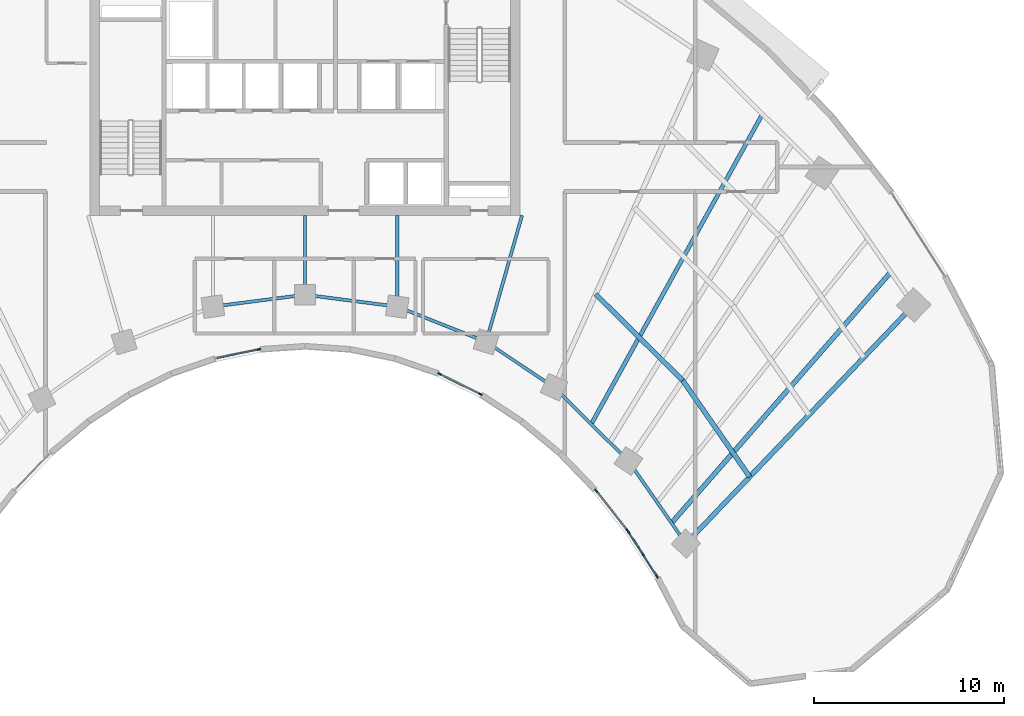
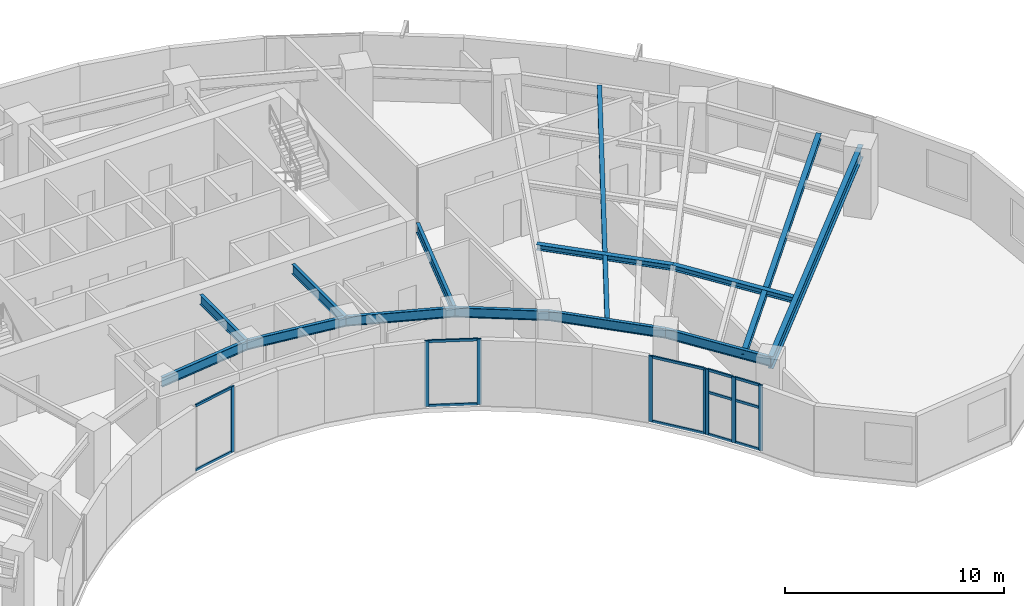
# One storey, part 3 of 13: 20 members, 14 beams, 4 elements without a shape of their own.
"""IFC4 building model written with IfcOpenShell, lengths in metres."""

from ifc_helpers import new_model, si_unit, direction, frame, origin, origin_2d, place, context, subcontext, project, spatial, rectangle, i_section, extrude, source, transform, mapped, material, layer, layer_set, material_profile, profile_set, type_object, type_shapes, element, aggregate, save


model = new_model("IFC4")

# Units and contexts
model_context = context("Model", 3, precision=1e-05, world=origin(), true_north=direction((0.0, 1.0)))
body_context = subcontext(model_context, "Body", "Model", "MODEL_VIEW")
ifc_project = project(units=[si_unit("LENGTHUNIT", "METRE"), si_unit("AREAUNIT", "SQUARE_METRE"), si_unit("VOLUMEUNIT", "CUBIC_METRE"), si_unit("PLANEANGLEUNIT", "RADIAN"), si_unit("MASSUNIT", "GRAM", prefix="KILO")], contexts=[model_context])

# Site, building, storey
site_placement = place(None, origin())
site = spatial("IfcSite", under=ifc_project, at=site_placement, CompositionType="ELEMENT")
building_placement = place(site_placement, origin())
building = spatial("IfcBuilding", under=site, at=building_placement, Name="Breltana Convention Tower", CompositionType="ELEMENT")
storey_placement = place(building_placement, frame((0.0, 0.0, 107.699951171875)))
storey = spatial("IfcBuildingStorey", under=building, at=storey_placement, Name="L25", CompositionType="ELEMENT", Elevation=107.699951171875)

# Beams
ifc_material_1 = material(Name="Steel ASTM A992 Grade 50", Category="steel")
ifc_material_profile_1 = material_profile(ifc_material_1, i_section(OverallWidth=0.25390625, OverallDepth=0.68798828125, WebThickness=0.01318359375, FlangeThickness=0.02099609375, at=origin_2d()), Name="W27X102")
ifc_profile_set_1 = profile_set([ifc_material_profile_1], Name="Steel ASTM A992 Grade 50")
beam_type_1 = type_object("IfcBeamType", Name="BM-RG-W27X102", PredefinedType="USERDEFINED", material=ifc_profile_set_1)
shared_shape_1 = source(origin(), body_context, "Body", "SweptSolid", [
    extrude(i_section(OverallWidth=0.25390625, OverallDepth=0.68798828125, WebThickness=0.01318359375, FlangeThickness=0.02099609375, at=origin_2d()), origin(), (0.0, 0.0, 1.0), 17.341064453125),
])
type_shapes(beam_type_1, [shared_shape_1])
beam_1_placement = place(storey_placement, frame((68.015380859375, 42.95458984375, 3.30615234375), z_axis=(0.690716462293, 0.723125693581, 0.0), x_axis=(-0.723125693581, 0.690716462293, 0.0)))
element("IfcBeam", 1, at=beam_1_placement, inside=storey, type_object=beam_type_1, Name="L25 Radial Floor Girder R11", ObjectType="GIRDER", PredefinedType="USERDEFINED", context=body_context, shape_type="MappedRepresentation", body=[
    mapped(shared_shape_1, transform((0.0, 0.0, 0.0), scale=1.0)),
])
ifc_material_profile_2 = material_profile(ifc_material_1, i_section(OverallWidth=0.166015625, OverallDepth=0.534912109375, WebThickness=0.01025390625, FlangeThickness=0.0166015625, at=origin_2d()), Name="W21X57")
ifc_profile_set_2 = profile_set([ifc_material_profile_2], Name="Steel ASTM A992 Grade 50")
beam_type_2 = type_object("IfcBeamType", Name="BM-BM-W21X57", PredefinedType="BEAM", material=ifc_profile_set_2)
shared_shape_2 = source(origin(), body_context, "Body", "SweptSolid", [
    extrude(i_section(OverallWidth=0.166015625, OverallDepth=0.534912109375, WebThickness=0.01025390625, FlangeThickness=0.0166015625, at=origin_2d()), origin(), (0.0, 0.0, 1.0), 6.904541015625),
])
type_shapes(beam_type_2, [shared_shape_2])
beam_2_placement = place(storey_placement, frame((59.39990234375, 60.199951171875, 3.382568359375), z_axis=(-0.273006781054, -0.962012108811, 0.0), x_axis=(0.962012108811, -0.273006781054, 0.0)))
element("IfcBeam", 2, at=beam_2_placement, inside=storey, type_object=beam_type_2, Name="L25 South Core Tie Girder R08", PredefinedType="BEAM", context=body_context, shape_type="MappedRepresentation", body=[
    mapped(shared_shape_2, transform((0.0, 0.0, 0.0), scale=1.0)),
])
shared_shape_3 = source(origin(), body_context, "Body", "SweptSolid", [
    extrude(i_section(OverallWidth=0.166015625, OverallDepth=0.534912109375, WebThickness=0.01025390625, FlangeThickness=0.0166015625, at=origin_2d()), origin(), (0.0, 0.0, 1.0), 4.789306640625),
])
beam_3_placement = place(storey_placement, frame((52.846435546875, 60.199951171875, 3.382568359375), z_axis=(0.0, -1.0, 0.0), x_axis=(1.0, 0.0, 0.0)))
element("IfcBeam", 3, at=beam_3_placement, inside=storey, type_object=beam_type_2, Name="L25 South Core Tie Girder R07", PredefinedType="BEAM", context=body_context, shape_type="MappedRepresentation", body=[
    mapped(shared_shape_3, transform((0.0, 0.0, 0.0), scale=1.0)),
])
shared_shape_4 = source(origin(), body_context, "Body", "SweptSolid", [
    extrude(i_section(OverallWidth=0.166015625, OverallDepth=0.534912109375, WebThickness=0.01025390625, FlangeThickness=0.0166015625, at=origin_2d()), origin(), (0.0, 0.0, 1.0), 4.1640625),
])
beam_4_placement = place(storey_placement, frame((48.0, 60.199951171875, 3.382568359375), z_axis=(0.0, -1.0, 0.0), x_axis=(1.0, 0.0, 0.0)))
element("IfcBeam", 4, at=beam_4_placement, inside=storey, type_object=beam_type_2, Name="L25 South Core Tie Girder R06", PredefinedType="BEAM", context=body_context, shape_type="MappedRepresentation", body=[
    mapped(shared_shape_4, transform((0.0, 0.0, 0.0), scale=1.0)),
])
shared_shape_5 = source(origin(), body_context, "Body", "SweptSolid", [
    extrude(i_section(OverallWidth=0.166015625, OverallDepth=0.534912109375, WebThickness=0.01025390625, FlangeThickness=0.0166015625, at=origin_2d()), origin(), (0.0, 0.0, 1.0), 5.022705078125),
])
beam_5_placement = place(storey_placement, frame((52.846435546875, 55.41064453125, 3.382568359375), z_axis=(0.929458966248, -0.368925507469, 0.0), x_axis=(0.368925507469, 0.929458966248, 0.0)))
element("IfcBeam", 5, at=beam_5_placement, inside=storey, type_object=beam_type_2, Name="L25 Inner Ring Beam 07", PredefinedType="BEAM", context=body_context, shape_type="MappedRepresentation", body=[
    mapped(shared_shape_5, transform((0.0, 0.0, 0.0), scale=1.0)),
])
shared_shape_6 = source(origin(), body_context, "Body", "SweptSolid", [
    extrude(i_section(OverallWidth=0.166015625, OverallDepth=0.534912109375, WebThickness=0.01025390625, FlangeThickness=0.0166015625, at=origin_2d()), origin(), (0.0, 0.0, 1.0), 4.88671875),
])
for number, where, z_axis, x_axis, name in (
    (6, (43.153564453125, 55.41064453125, 3.382568359375), (0.991780525565, 0.127950729231, 0.0), (-0.127950729231, 0.991780525565, 0.0), "L25 Inner Ring Beam 05"),
    (7, (48.0, 56.035888671875, 3.382568359375), (0.991780525565, -0.127950729231, 0.0), (0.127950729231, 0.991780525565, 0.0), "L25 Inner Ring Beam 06"),
):
    element("IfcBeam", number, at=place(storey_placement, frame(where, z_axis=z_axis, x_axis=x_axis)), inside=storey, type_object=beam_type_2, Name=name, PredefinedType="BEAM", context=body_context, shape_type="MappedRepresentation", body=[
        mapped(shared_shape_6, transform((0.0, 0.0, 0.0), scale=1.0)),
    ])
shared_shape_7 = source(origin(), body_context, "Body", "SweptSolid", [
    extrude(i_section(OverallWidth=0.166015625, OverallDepth=0.534912109375, WebThickness=0.01025390625, FlangeThickness=0.0166015625, at=origin_2d()), origin(), (0.0, 0.0, 1.0), 4.2900390625),
])
beam_6_placement = place(storey_placement, frame((57.514892578125, 53.5576171875, 3.382568359375), z_axis=(0.831515827753, -0.555501060482, 0.0), x_axis=(0.555501060482, 0.831515827753, 0.0)))
element("IfcBeam", 8, at=beam_6_placement, inside=storey, type_object=beam_type_2, Name="L25 Inner Ring Beam 08", PredefinedType="BEAM", context=body_context, shape_type="MappedRepresentation", body=[
    mapped(shared_shape_7, transform((0.0, 0.0, 0.0), scale=1.0)),
])
shared_shape_8 = source(origin(), body_context, "Body", "SweptSolid", [
    extrude(i_section(OverallWidth=0.166015625, OverallDepth=0.534912109375, WebThickness=0.01025390625, FlangeThickness=0.0166015625, at=origin_2d()), origin(), (0.0, 0.0, 1.0), 5.51171875),
])
beam_7_placement = place(storey_placement, frame((61.08203125, 51.174560546875, 3.382568359375), z_axis=(0.710090360749, -0.704110559196, 0.0), x_axis=(0.704110559196, 0.710090360749, 0.0)))
element("IfcBeam", 9, at=beam_7_placement, inside=storey, type_object=beam_type_2, Name="L25 Inner Ring Beam 09", PredefinedType="BEAM", context=body_context, shape_type="MappedRepresentation", body=[
    mapped(shared_shape_8, transform((0.0, 0.0, 0.0), scale=1.0)),
])
shared_shape_9 = source(origin(), body_context, "Body", "SweptSolid", [
    extrude(i_section(OverallWidth=0.166015625, OverallDepth=0.534912109375, WebThickness=0.01025390625, FlangeThickness=0.0166015625, at=origin_2d()), origin(), (0.0, 0.0, 1.0), 5.286376953125),
])
beam_8_placement = place(storey_placement, frame((64.995849609375, 47.293701171875, 3.382568359375), z_axis=(0.571194382458, -0.82081482531, 0.0), x_axis=(0.82081482531, 0.571194382458, 0.0)))
element("IfcBeam", 10, at=beam_8_placement, inside=storey, type_object=beam_type_2, Name="L25 Inner Ring Beam 10", PredefinedType="BEAM", context=body_context, shape_type="MappedRepresentation", body=[
    mapped(shared_shape_9, transform((0.0, 0.0, 0.0), scale=1.0)),
])
ifc_material_profile_3 = material_profile(ifc_material_1, i_section(OverallWidth=0.25390625, OverallDepth=0.305908203125, WebThickness=0.0087890625, FlangeThickness=0.0146484375, at=origin_2d()), Name="W12X53")
ifc_profile_set_3 = profile_set([ifc_material_profile_3], Name="Steel ASTM A992 Grade 50")
beam_type_3 = type_object("IfcBeamType", Name="BM-JSG-10", PredefinedType="JOIST", material=ifc_profile_set_3)
shared_shape_10 = source(origin(), body_context, "Body", "SweptSolid", [
    extrude(i_section(OverallWidth=0.25390625, OverallDepth=0.305908203125, WebThickness=0.0087890625, FlangeThickness=0.0146484375, at=origin_2d()), origin(), (0.0, 0.0, 1.0), 6.435302734375),
])
beam_9_placement = place(storey_placement, frame((63.27392578125, 56.06298828125, 3.4970703125), z_axis=(0.710116389828, -0.704084308089, 0.0), x_axis=(0.704084308089, 0.710116389828, 0.0)))
element("IfcBeam", 11, at=beam_9_placement, inside=storey, type_object=beam_type_3, Name="L25 Composite Floor Joist 09.1", PredefinedType="JOIST", context=body_context, shape_type="MappedRepresentation", body=[
    mapped(shared_shape_10, transform((0.0, 0.0, 0.0), scale=1.0)),
])
ifc_material_profile_4 = material_profile(ifc_material_1, i_section(OverallWidth=0.214111328125, OverallDepth=0.549072265625, WebThickness=0.0146484375, FlangeThickness=0.023681640625, at=origin_2d()), Name="W21X93")
ifc_profile_set_4 = profile_set([ifc_material_profile_4], Name="Steel ASTM A992 Grade 50")
beam_type_4 = type_object("IfcBeamType", Name="BM-JSG-03", PredefinedType="JOIST", material=ifc_profile_set_4)
shared_shape_11 = source(origin(), body_context, "Body", "SweptSolid", [
    extrude(i_section(OverallWidth=0.214111328125, OverallDepth=0.549072265625, WebThickness=0.0146484375, FlangeThickness=0.023681640625, at=origin_2d()), origin(), (0.0, 0.0, 1.0), 18.617431640625),
])
beam_10_placement = place(storey_placement, frame((63.038818359375, 49.234130859375, 3.37548828125), z_axis=(0.483405602507, 0.875396495004, 0.0), x_axis=(-0.875396495004, 0.483405602507, 0.0)))
element("IfcBeam", 12, at=beam_10_placement, inside=storey, type_object=beam_type_4, Name="L25 Mid-Bay Radial Trimmer 09", PredefinedType="JOIST", context=body_context, shape_type="MappedRepresentation", body=[
    mapped(shared_shape_11, transform((0.0, 0.0, 0.0), scale=1.0)),
])
shared_shape_12 = source(origin(), body_context, "Body", "SweptSolid", [
    extrude(i_section(OverallWidth=0.25390625, OverallDepth=0.305908203125, WebThickness=0.0087890625, FlangeThickness=0.0146484375, at=origin_2d()), origin(), (0.0, 0.0, 1.0), 6.172119140625),
])
beam_11_placement = place(storey_placement, frame((67.84375, 51.531982421875, 3.4970703125), z_axis=(0.571211663392, -0.820802799462, 0.0), x_axis=(0.820802799462, 0.571211663392, 0.0)))
element("IfcBeam", 13, at=beam_11_placement, inside=storey, type_object=beam_type_3, Name="L25 Composite Floor Joist 10.1", PredefinedType="JOIST", context=body_context, shape_type="MappedRepresentation", body=[
    mapped(shared_shape_12, transform((0.0, 0.0, 0.0), scale=1.0)),
])
shared_shape_13 = source(origin(), body_context, "Body", "SweptSolid", [
    extrude(i_section(OverallWidth=0.25390625, OverallDepth=0.305908203125, WebThickness=0.0087890625, FlangeThickness=0.0146484375, at=origin_2d()), origin(), (0.0, 0.0, 1.0), 17.515625),
])
beam_12_placement = place(storey_placement, frame((67.260498046875, 44.03955078125, 3.4970703125), z_axis=(0.658051548324, 0.752972881151, 0.0), x_axis=(-0.752972881151, 0.658051548324, 0.0)))
element("IfcBeam", 14, at=beam_12_placement, inside=storey, type_object=beam_type_3, Name="L25 Quarter-Bay Radial Trimmer 10", PredefinedType="JOIST", context=body_context, shape_type="MappedRepresentation", body=[
    mapped(shared_shape_13, transform((0.0, 0.0, 0.0), scale=1.0)),
])

# Curtain wall, members
ifc_material_2 = material(Name="Aluminium Anodised Bronze Frame", Category="aluminium")
ifc_layer = layer(ifc_material_2, 0.18994140625, Name="Aluminium Anodised Bronze Frame")
ifc_layer_set = layer_set([ifc_layer], Name="Aluminium Anodised Bronze Frame")
curtain_wall_type = type_object("IfcCurtainWallType", Name="CW-SYS-1", PredefinedType="NOTDEFINED", material=ifc_layer_set)
curtain_wall_1_placement = place(storey_placement, origin())
curtain_wall_1 = element("IfcCurtainWall", 15, at=curtain_wall_1_placement, inside=storey, type_object=curtain_wall_type, Name="L25 inner south-court glazing 1", PredefinedType="NOTDEFINED")
ifc_material_3 = material(Name="Aluminium Anodised Bronze", Category="aluminium")
ifc_material_profile_5 = material_profile(ifc_material_3, rectangle(XDim=0.080078125, YDim=0.139892578125, at=origin_2d()), Name="CWT-80X140")
ifc_profile_set_5 = profile_set([ifc_material_profile_5], Name="Aluminium Anodised Bronze")
member_type_1 = type_object("IfcMemberType", Name="CWT-140", PredefinedType="USERDEFINED", material=ifc_profile_set_5)
shared_shape_14 = source(origin(), body_context, "Body", "SweptSolid", [
    extrude(rectangle(XDim=0.080078125, YDim=0.139892578125, at=origin_2d()), origin(), (0.0, 0.0, 1.0), 1.30029296875),
])
member_1_placement = place(storey_placement, frame((66.4794921875, 41.259521484375, 0.0400390625), z_axis=(-0.540188084224, 0.841544314735, 0.0), x_axis=(-0.841544314735, -0.540188084224, 0.0)))
member_1 = element("IfcMember", 16, at=member_1_placement, type_object=member_type_1, Name="CW-01 transom 1.1", ObjectType="TRANSOM", PredefinedType="USERDEFINED", context=body_context, shape_type="MappedRepresentation", body=[
    mapped(shared_shape_14, transform((0.0, 0.0, 0.0), scale=1.0)),
])
member_2_placement = place(storey_placement, frame((66.4794921875, 41.259521484375, 2.37255859375), z_axis=(-0.540188084224, 0.841544314735, 0.0), x_axis=(-0.841544314735, -0.540188084224, 0.0)))
member_2 = element("IfcMember", 17, at=member_2_placement, type_object=member_type_1, Name="CW-01 transom 1.2", ObjectType="TRANSOM", PredefinedType="USERDEFINED", context=body_context, shape_type="MappedRepresentation", body=[
    mapped(shared_shape_14, transform((0.0, 0.0, 0.0), scale=1.0)),
])
member_3_placement = place(storey_placement, frame((66.4794921875, 41.259521484375, 3.610107421875), z_axis=(-0.540188084224, 0.841544314735, 0.0), x_axis=(-0.841544314735, -0.540188084224, 0.0)))
member_3 = element("IfcMember", 18, at=member_3_placement, type_object=member_type_1, Name="CW-01 transom 1.3", ObjectType="TRANSOM", PredefinedType="USERDEFINED", context=body_context, shape_type="MappedRepresentation", body=[
    mapped(shared_shape_14, transform((0.0, 0.0, 0.0), scale=1.0)),
])
shared_shape_15 = source(origin(), body_context, "Body", "SweptSolid", [
    extrude(rectangle(XDim=0.080078125, YDim=0.139892578125, at=origin_2d()), origin(), (0.0, 0.0, 1.0), 1.300048828125),
])
member_4_placement = place(storey_placement, frame((65.73388671875, 42.4208984375, 0.0400390625), z_axis=(-0.540140453972, 0.841574886735, 0.0), x_axis=(-0.841574886735, -0.540140453972, 0.0)))
member_4 = element("IfcMember", 19, at=member_4_placement, type_object=member_type_1, Name="CW-01 transom 2.1", ObjectType="TRANSOM", PredefinedType="USERDEFINED", context=body_context, shape_type="MappedRepresentation", body=[
    mapped(shared_shape_15, transform((0.0, 0.0, 0.0), scale=1.0)),
])
member_5_placement = place(storey_placement, frame((65.73388671875, 42.4208984375, 2.37255859375), z_axis=(-0.540140453972, 0.841574886735, 0.0), x_axis=(-0.841574886735, -0.540140453972, 0.0)))
member_5 = element("IfcMember", 20, at=member_5_placement, type_object=member_type_1, Name="CW-01 transom 2.2", ObjectType="TRANSOM", PredefinedType="USERDEFINED", context=body_context, shape_type="MappedRepresentation", body=[
    mapped(shared_shape_15, transform((0.0, 0.0, 0.0), scale=1.0)),
])
member_6_placement = place(storey_placement, frame((65.73388671875, 42.4208984375, 3.610107421875), z_axis=(-0.540140453972, 0.841574886735, 0.0), x_axis=(-0.841574886735, -0.540140453972, 0.0)))
member_6 = element("IfcMember", 21, at=member_6_placement, type_object=member_type_1, Name="CW-01 transom 2.3", ObjectType="TRANSOM", PredefinedType="USERDEFINED", context=body_context, shape_type="MappedRepresentation", body=[
    mapped(shared_shape_15, transform((0.0, 0.0, 0.0), scale=1.0)),
])

curtain_wall_2_placement = place(storey_placement, origin())
curtain_wall_2 = element("IfcCurtainWall", 22, at=curtain_wall_2_placement, inside=storey, type_object=curtain_wall_type, Name="L25 inner south-court glazing 2", PredefinedType="NOTDEFINED")
shared_shape_16 = source(origin(), body_context, "Body", "SweptSolid", [
    extrude(rectangle(XDim=0.080078125, YDim=0.139892578125, at=origin_2d()), origin(), (0.0, 0.0, 1.0), 2.6005859375),
])
member_7_placement = place(storey_placement, frame((64.928955078125, 43.6591796875, 0.0400390625), z_axis=(-0.618078566977, 0.786116330478, 0.0), x_axis=(-0.786116330478, -0.618078566977, 0.0)))
member_7 = element("IfcMember", 23, at=member_7_placement, type_object=member_type_1, Name="CW-01 transom 1.1", ObjectType="TRANSOM", PredefinedType="USERDEFINED", context=body_context, shape_type="MappedRepresentation", body=[
    mapped(shared_shape_16, transform((0.0, 0.0, 0.0), scale=1.0)),
])
member_8_placement = place(storey_placement, frame((64.928955078125, 43.6591796875, 3.610107421875), z_axis=(-0.618078566977, 0.786116330478, 0.0), x_axis=(-0.786116330478, -0.618078566977, 0.0)))
member_8 = element("IfcMember", 24, at=member_8_placement, type_object=member_type_1, Name="CW-01 transom 1.2", ObjectType="TRANSOM", PredefinedType="USERDEFINED", context=body_context, shape_type="MappedRepresentation", body=[
    mapped(shared_shape_16, transform((0.0, 0.0, 0.0), scale=1.0)),
])

curtain_wall_3_placement = place(storey_placement, origin())
curtain_wall_3 = element("IfcCurtainWall", 25, at=curtain_wall_3_placement, inside=storey, type_object=curtain_wall_type, Name="L25 inner south-court glazing 3", PredefinedType="NOTDEFINED")
shared_shape_17 = source(origin(), body_context, "Body", "SweptSolid", [
    extrude(rectangle(XDim=0.080078125, YDim=0.139892578125, at=origin_2d()), origin(), (0.0, 0.0, 1.0), 2.302490234375),
])
member_9_placement = place(storey_placement, frame((57.167236328125, 50.83251953125, 0.0400390625), z_axis=(-0.895948802276, 0.444157341152, 0.0), x_axis=(-0.444157341152, -0.895948802276, 0.0)))
member_9 = element("IfcMember", 26, at=member_9_placement, type_object=member_type_1, Name="CW-01 transom 1.1", ObjectType="TRANSOM", PredefinedType="USERDEFINED", context=body_context, shape_type="MappedRepresentation", body=[
    mapped(shared_shape_17, transform((0.0, 0.0, 0.0), scale=1.0)),
])
member_10_placement = place(storey_placement, frame((57.167236328125, 50.83251953125, 3.610107421875), z_axis=(-0.895948802276, 0.444157341152, 0.0), x_axis=(-0.444157341152, -0.895948802276, 0.0)))
member_10 = element("IfcMember", 27, at=member_10_placement, type_object=member_type_1, Name="CW-01 transom 1.2", ObjectType="TRANSOM", PredefinedType="USERDEFINED", context=body_context, shape_type="MappedRepresentation", body=[
    mapped(shared_shape_17, transform((0.0, 0.0, 0.0), scale=1.0)),
])

curtain_wall_4_placement = place(storey_placement, origin())
curtain_wall_4 = element("IfcCurtainWall", 28, at=curtain_wall_4_placement, inside=storey, type_object=curtain_wall_type, Name="L25 inner south-court glazing 4", PredefinedType="NOTDEFINED")
shared_shape_18 = source(origin(), body_context, "Body", "SweptSolid", [
    extrude(rectangle(XDim=0.080078125, YDim=0.139892578125, at=origin_2d()), origin(), (0.0, 0.0, 1.0), 2.2138671875),
])
member_11_placement = place(storey_placement, frame((45.535888671875, 53.15576171875, 0.0400390625), z_axis=(-0.979627741123, -0.200822032712, 0.0), x_axis=(0.200822032712, -0.979627741123, 0.0)))
member_11 = element("IfcMember", 29, at=member_11_placement, type_object=member_type_1, Name="CW-01 transom 1.1", ObjectType="TRANSOM", PredefinedType="USERDEFINED", context=body_context, shape_type="MappedRepresentation", body=[
    mapped(shared_shape_18, transform((0.0, 0.0, 0.0), scale=1.0)),
])
member_12_placement = place(storey_placement, frame((45.535888671875, 53.15576171875, 3.610107421875), z_axis=(-0.979627741123, -0.200822032712, 0.0), x_axis=(0.200822032712, -0.979627741123, 0.0)))
member_12 = element("IfcMember", 30, at=member_12_placement, type_object=member_type_1, Name="CW-01 transom 1.2", ObjectType="TRANSOM", PredefinedType="USERDEFINED", context=body_context, shape_type="MappedRepresentation", body=[
    mapped(shared_shape_18, transform((0.0, 0.0, 0.0), scale=1.0)),
])

# Member
ifc_material_profile_6 = material_profile(ifc_material_3, rectangle(XDim=0.080078125, YDim=0.199951171875, at=origin_2d()), Name="CWM-80X200")
ifc_profile_set_6 = profile_set([ifc_material_profile_6], Name="Aluminium Anodised Bronze")
member_type_2 = type_object("IfcMemberType", Name="CWM-200", PredefinedType="MULLION", material=ifc_profile_set_6)
shared_shape_19 = source(origin(), body_context, "Body", "SweptSolid", [
    extrude(rectangle(XDim=0.080078125, YDim=0.199951171875, at=origin_2d()), origin(), (0.0, 0.0, 1.0), 3.650146484375),
])
member_13_placement = place(storey_placement, frame((66.5009765625, 41.22607421875, 0.0), z_axis=(0.0, 0.0, 1.0), x_axis=(-0.841551235949, -0.5401773017, 0.0)))
member_13 = element("IfcMember", 31, at=member_13_placement, type_object=member_type_2, Name="CW-01 mullion 1", PredefinedType="MULLION", context=body_context, shape_type="MappedRepresentation", body=[
    mapped(shared_shape_19, transform((0.0, 0.0, 0.0), scale=1.0)),
])

member_14_placement = place(storey_placement, frame((65.755615234375, 42.38720703125, 0.0), z_axis=(0.0, 0.0, 1.0), x_axis=(-0.841551235949, -0.5401773017, 0.0)))
member_14 = element("IfcMember", 32, at=member_14_placement, type_object=member_type_2, Name="CW-01 mullion 2", PredefinedType="MULLION", context=body_context, shape_type="MappedRepresentation", body=[
    mapped(shared_shape_19, transform((0.0, 0.0, 0.0), scale=1.0)),
])

member_15_placement = place(storey_placement, frame((65.010009765625, 43.548583984375, 0.0), z_axis=(0.0, 0.0, 1.0), x_axis=(-0.841551235949, -0.5401773017, 0.0)))
member_15 = element("IfcMember", 33, at=member_15_placement, type_object=member_type_2, Name="CW-01 mullion 3", PredefinedType="MULLION", context=body_context, shape_type="MappedRepresentation", body=[
    mapped(shared_shape_19, transform((0.0, 0.0, 0.0), scale=1.0)),
])

aggregate(curtain_wall_1, [member_13, member_14, member_15, member_1, member_2, member_3, member_4, member_5, member_6])

member_16_placement = place(storey_placement, frame((64.953857421875, 43.6279296875, 0.0), z_axis=(0.0, 0.0, 1.0), x_axis=(-0.786054302547, -0.61815745037, 0.0)))
member_16 = element("IfcMember", 34, at=member_16_placement, type_object=member_type_2, Name="CW-01 mullion 1", PredefinedType="MULLION", context=body_context, shape_type="MappedRepresentation", body=[
    mapped(shared_shape_19, transform((0.0, 0.0, 0.0), scale=1.0)),
])

member_17_placement = place(storey_placement, frame((63.296630859375, 45.73486328125, 0.0), z_axis=(0.0, 0.0, 1.0), x_axis=(-0.786054302547, -0.61815745037, 0.0)))
member_17 = element("IfcMember", 35, at=member_17_placement, type_object=member_type_2, Name="CW-01 mullion 2", PredefinedType="MULLION", context=body_context, shape_type="MappedRepresentation", body=[
    mapped(shared_shape_19, transform((0.0, 0.0, 0.0), scale=1.0)),
])

aggregate(curtain_wall_2, [member_16, member_17, member_7, member_8])

member_18_placement = place(storey_placement, frame((57.203125, 50.814697265625, 0.0), z_axis=(0.0, 0.0, 1.0), x_axis=(-0.444124759622, -0.895964953495, 0.0)))
member_18 = element("IfcMember", 36, at=member_18_placement, type_object=member_type_2, Name="CW-01 mullion 1", PredefinedType="MULLION", context=body_context, shape_type="MappedRepresentation", body=[
    mapped(shared_shape_19, transform((0.0, 0.0, 0.0), scale=1.0)),
])

member_19_placement = place(storey_placement, frame((55.068359375, 51.873046875, 0.0), z_axis=(0.0, 0.0, 1.0), x_axis=(-0.444124759622, -0.895964953495, 0.0)))
member_19 = element("IfcMember", 37, at=member_19_placement, type_object=member_type_2, Name="CW-01 mullion 2", PredefinedType="MULLION", context=body_context, shape_type="MappedRepresentation", body=[
    mapped(shared_shape_19, transform((0.0, 0.0, 0.0), scale=1.0)),
])

aggregate(curtain_wall_3, [member_18, member_19, member_9, member_10])

member_20_placement = place(storey_placement, frame((45.574951171875, 53.163818359375, 0.0), z_axis=(0.0, 0.0, 1.0), x_axis=(0.200852929183, -0.979621406891, 0.0)))
member_20 = element("IfcMember", 38, at=member_20_placement, type_object=member_type_2, Name="CW-01 mullion 1", PredefinedType="MULLION", context=body_context, shape_type="MappedRepresentation", body=[
    mapped(shared_shape_19, transform((0.0, 0.0, 0.0), scale=1.0)),
])

aggregate(curtain_wall_4, [member_20, member_11, member_12])

save(model, "model.ifc")
